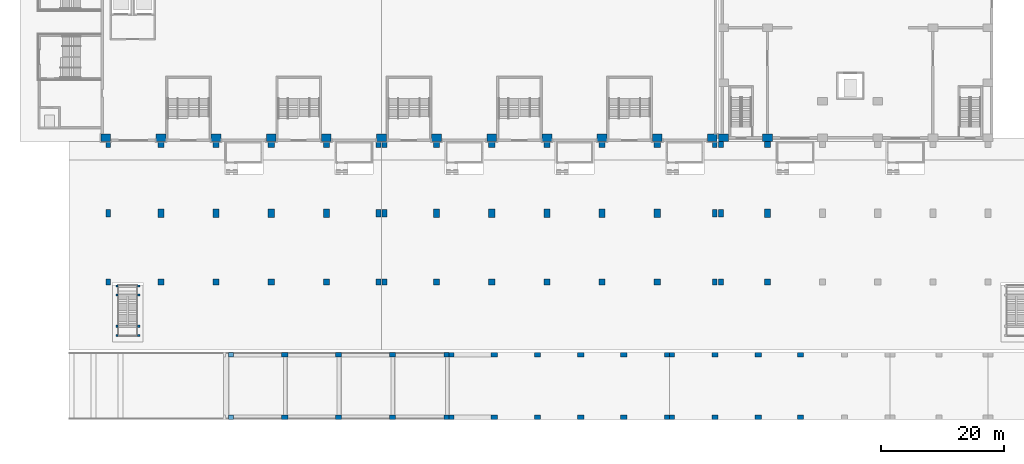
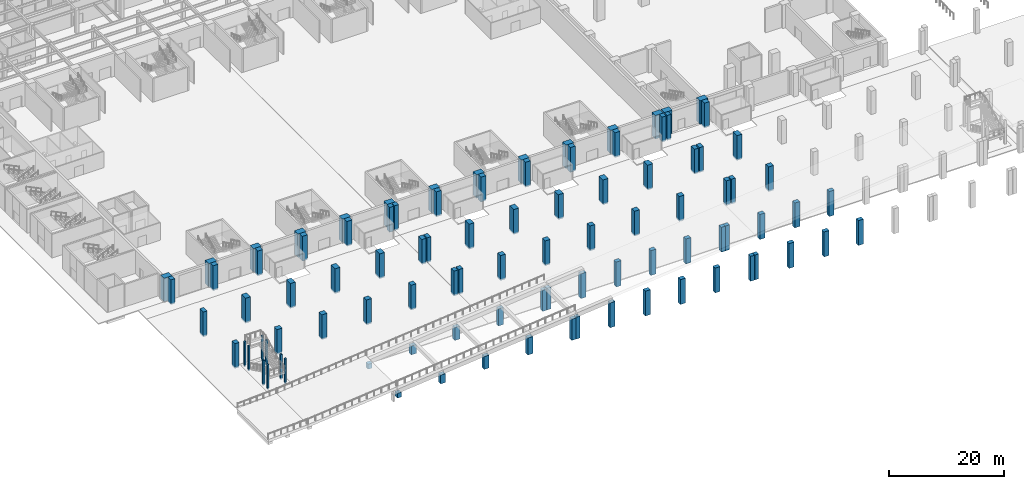
# One storey, part 3 of 77: 97 columns.
"""IFC4 building model written with IfcOpenShell, lengths in metres."""

from ifc_helpers import new_model, si_unit, direction, frame, origin, origin_2d, place, context, subcontext, project, spatial, rectangle, extrude, material, material_profile, profile_set, type_object, element, save


model = new_model("IFC4")

# Units and contexts
model_context = context("Model", 3, precision=1e-05, world=origin(), true_north=direction((0.0, 1.0)))
body_context = subcontext(model_context, "Body", "Model", "MODEL_VIEW")
ifc_project = project(units=[si_unit("LENGTHUNIT", "METRE"), si_unit("AREAUNIT", "SQUARE_METRE"), si_unit("VOLUMEUNIT", "CUBIC_METRE"), si_unit("PLANEANGLEUNIT", "RADIAN"), si_unit("MASSUNIT", "GRAM", prefix="KILO")], contexts=[model_context])

# Site, building, storey
site_placement = place(None, origin())
site = spatial("IfcSite", under=ifc_project, at=site_placement, CompositionType="ELEMENT")
building_placement = place(site_placement, origin())
building = spatial("IfcBuilding", under=site, at=building_placement, Name="Aravalli Gate Trade Fair Centre", CompositionType="ELEMENT")
storey_placement = place(building_placement, origin())
storey = spatial("IfcBuildingStorey", under=building, at=storey_placement, Name="L00", CompositionType="ELEMENT", Elevation=0.0)

# Columns
ifc_material = material(Name="Concrete M45", Category="concrete")
ifc_material_profile_1 = material_profile(ifc_material, rectangle(XDim=1.60009765625, YDim=1.199951171875, at=origin_2d()), Name="RC 1600x1200")
ifc_profile_set_1 = profile_set([ifc_material_profile_1], Name="Concrete M45")
column_type_1 = type_object("IfcColumnType", Name="Congress RC column 1600 x 1200", PredefinedType="COLUMN", material=ifc_profile_set_1)
for number, where, z_axis, x_axis, name in (
    (1, (106.800048828125, 46.0, 0.0), (0.0, 0.0, 1.0), (1.0, 0.0, 0.0), "Congress column 106.8/46 L00"),
    (2, (114.0, 46.0, 0.0), (0.0, 0.0, 1.0), (1.0, 0.0, 0.0), "Congress column 114.0/46 L00"),
):
    element("IfcColumn", number, at=place(storey_placement, frame(where, z_axis=z_axis, x_axis=x_axis)), inside=storey, type_object=column_type_1, Name=name, PredefinedType="COLUMN", context=body_context, shape_type="SweptSolid", body=[
        extrude(rectangle(XDim=1.60009765625, YDim=1.199951171875, at=origin_2d()), origin(), (0.0, 0.0, 1.0), 5.0),
    ])
ifc_material_profile_2 = material_profile(ifc_material, rectangle(XDim=1.0, YDim=1.0, at=origin_2d()), Name="Deck column RC 1000 x 1000")
ifc_profile_set_2 = profile_set([ifc_material_profile_2], Name="Concrete M45")
column_type_2 = type_object("IfcColumnType", Name="Deck column RC 1000 x 1000", PredefinedType="COLUMN", material=ifc_profile_set_2)
for number, where, z_axis, x_axis, name in (
    (3, (15.0, 22.5, -0.300048828125), (0.0, 0.0, 1.0), (1.0, 0.0, 0.0), "Deck column col.deck.1.2.S L00"),
    (4, (15.0, 44.89990234375, -0.300048828125), (0.0, 0.0, 1.0), (1.0, 0.0, 0.0), "Deck column col.deck.1.2.N L00"),
    (5, (24.0, 22.5, -0.300048828125), (0.0, 0.0, 1.0), (1.0, 0.0, 0.0), "Deck column col.deck.1.3.S L00"),
    (6, (24.0, 44.89990234375, -0.300048828125), (0.0, 0.0, 1.0), (1.0, 0.0, 0.0), "Deck column col.deck.1.3.N L00"),
    (7, (33.0, 22.5, -0.300048828125), (0.0, 0.0, 1.0), (1.0, 0.0, 0.0), "Deck column col.deck.1.4.S L00"),
    (8, (33.0, 44.89990234375, -0.300048828125), (0.0, 0.0, 1.0), (1.0, 0.0, 0.0), "Deck column col.deck.1.4.N L00"),
    (9, (42.0, 22.5, -0.300048828125), (0.0, 0.0, 1.0), (1.0, 0.0, 0.0), "Deck column col.deck.1.5.S L00"),
    (10, (42.0, 44.89990234375, -0.300048828125), (0.0, 0.0, 1.0), (1.0, 0.0, 0.0), "Deck column col.deck.1.5.N L00"),
    (11, (60.0, 22.5, -0.300048828125), (0.0, 0.0, 1.0), (1.0, 0.0, 0.0), "Deck column col.deck.2.2.S L00"),
    (12, (60.0, 44.89990234375, -0.300048828125), (0.0, 0.0, 1.0), (1.0, 0.0, 0.0), "Deck column col.deck.2.2.N L00"),
    (13, (69.0, 22.5, -0.300048828125), (0.0, 0.0, 1.0), (1.0, 0.0, 0.0), "Deck column col.deck.2.3.S L00"),
    (14, (69.0, 44.89990234375, -0.300048828125), (0.0, 0.0, 1.0), (1.0, 0.0, 0.0), "Deck column col.deck.2.3.N L00"),
    (15, (78.0, 22.5, -0.300048828125), (0.0, 0.0, 1.0), (1.0, 0.0, 0.0), "Deck column col.deck.2.4.S L00"),
    (16, (78.0, 44.89990234375, -0.300048828125), (0.0, 0.0, 1.0), (1.0, 0.0, 0.0), "Deck column col.deck.2.4.N L00"),
    (17, (87.0, 22.5, -0.300048828125), (0.0, 0.0, 1.0), (1.0, 0.0, 0.0), "Deck column col.deck.2.5.S L00"),
    (18, (87.0, 44.89990234375, -0.300048828125), (0.0, 0.0, 1.0), (1.0, 0.0, 0.0), "Deck column col.deck.2.5.N L00"),
    (19, (96.0, 22.5, -0.300048828125), (0.0, 0.0, 1.0), (1.0, 0.0, 0.0), "Deck column col.deck.2.6.S L00"),
    (20, (96.0, 44.89990234375, -0.300048828125), (0.0, 0.0, 1.0), (1.0, 0.0, 0.0), "Deck column col.deck.2.6.N L00"),
    (21, (114.0, 22.5, -0.300048828125), (0.0, 0.0, 1.0), (1.0, 0.0, 0.0), "Deck column col.deck.3.2.S L00"),
    (22, (114.0, 44.89990234375, -0.300048828125), (0.0, 0.0, 1.0), (1.0, 0.0, 0.0), "Deck column col.deck.3.2.N L00"),
):
    element("IfcColumn", number, at=place(storey_placement, frame(where, z_axis=z_axis, x_axis=x_axis)), inside=storey, type_object=column_type_2, Name=name, PredefinedType="COLUMN", context=body_context, shape_type="SweptSolid", body=[
        extrude(rectangle(XDim=1.0, YDim=1.0, at=origin_2d()), origin(), (0.0, 0.0, 1.0), 5.300048828125),
    ])
ifc_material_profile_3 = material_profile(ifc_material, rectangle(XDim=1.0, YDim=1.39990234375, at=origin_2d()), Name="Deck column RC 1000 x 1400")
ifc_profile_set_3 = profile_set([ifc_material_profile_3], Name="Concrete M45")
column_type_3 = type_object("IfcColumnType", Name="Deck column RC 1000 x 1400", PredefinedType="COLUMN", material=ifc_profile_set_3)
for number, where, z_axis, x_axis, name in (
    (23, (15.0, 33.699951171875, -0.300048828125), (0.0, 0.0, 1.0), (1.0, 0.0, 0.0), "Deck column col.deck.1.2.M L00"),
    (24, (24.0, 33.699951171875, -0.300048828125), (0.0, 0.0, 1.0), (1.0, 0.0, 0.0), "Deck column col.deck.1.3.M L00"),
    (25, (33.0, 33.699951171875, -0.300048828125), (0.0, 0.0, 1.0), (1.0, 0.0, 0.0), "Deck column col.deck.1.4.M L00"),
    (26, (42.0, 33.699951171875, -0.300048828125), (0.0, 0.0, 1.0), (1.0, 0.0, 0.0), "Deck column col.deck.1.5.M L00"),
    (27, (60.0, 33.699951171875, -0.300048828125), (0.0, 0.0, 1.0), (1.0, 0.0, 0.0), "Deck column col.deck.2.2.M L00"),
    (28, (69.0, 33.699951171875, -0.300048828125), (0.0, 0.0, 1.0), (1.0, 0.0, 0.0), "Deck column col.deck.2.3.M L00"),
    (29, (78.0, 33.699951171875, -0.300048828125), (0.0, 0.0, 1.0), (1.0, 0.0, 0.0), "Deck column col.deck.2.4.M L00"),
    (30, (87.0, 33.699951171875, -0.300048828125), (0.0, 0.0, 1.0), (1.0, 0.0, 0.0), "Deck column col.deck.2.5.M L00"),
    (31, (96.0, 33.699951171875, -0.300048828125), (0.0, 0.0, 1.0), (1.0, 0.0, 0.0), "Deck column col.deck.2.6.M L00"),
    (32, (114.0, 33.699951171875, -0.300048828125), (0.0, 0.0, 1.0), (1.0, 0.0, 0.0), "Deck column col.deck.3.2.M L00"),
):
    element("IfcColumn", number, at=place(storey_placement, frame(where, z_axis=z_axis, x_axis=x_axis)), inside=storey, type_object=column_type_3, Name=name, PredefinedType="COLUMN", context=body_context, shape_type="SweptSolid", body=[
        extrude(rectangle(XDim=1.0, YDim=1.39990234375, at=origin_2d()), origin(), (0.0, 0.0, 1.0), 5.300048828125),
    ])
ifc_material_profile_4 = material_profile(ifc_material, rectangle(XDim=0.800048828125, YDim=1.0, at=origin_2d()), Name="Deck column RC 800 x 1000")
ifc_profile_set_4 = profile_set([ifc_material_profile_4], Name="Concrete M45")
column_type_4 = type_object("IfcColumnType", Name="Deck column RC 800 x 1000", PredefinedType="COLUMN", material=ifc_profile_set_4)
for number, where, z_axis, x_axis, name in (
    (33, (6.39990234375, 22.5, -0.300048828125), (0.0, 0.0, 1.0), (1.0, 0.0, 0.0), "Deck column col.deck.1.1.S L00"),
    (34, (6.39990234375, 44.89990234375, -0.300048828125), (0.0, 0.0, 1.0), (1.0, 0.0, 0.0), "Deck column col.deck.1.1.N L00"),
    (35, (50.5, 22.5, -0.300048828125), (0.0, 0.0, 1.0), (1.0, 0.0, 0.0), "Deck column col.deck.1.6.S L00"),
    (36, (50.5, 44.89990234375, -0.300048828125), (0.0, 0.0, 1.0), (1.0, 0.0, 0.0), "Deck column col.deck.1.6.N L00"),
    (37, (51.5, 22.5, -0.300048828125), (0.0, 0.0, 1.0), (1.0, 0.0, 0.0), "Deck column col.deck.2.1.S L00"),
    (38, (51.5, 44.89990234375, -0.300048828125), (0.0, 0.0, 1.0), (1.0, 0.0, 0.0), "Deck column col.deck.2.1.N L00"),
    (39, (105.39990234375, 22.5, -0.300048828125), (0.0, 0.0, 1.0), (1.0, 0.0, 0.0), "Deck column col.deck.2.7.S L00"),
    (40, (105.39990234375, 44.89990234375, -0.300048828125), (0.0, 0.0, 1.0), (1.0, 0.0, 0.0), "Deck column col.deck.2.7.N L00"),
    (41, (106.39990234375, 22.5, -0.300048828125), (0.0, 0.0, 1.0), (1.0, 0.0, 0.0), "Deck column col.deck.3.1.S L00"),
    (42, (106.39990234375, 44.89990234375, -0.300048828125), (0.0, 0.0, 1.0), (1.0, 0.0, 0.0), "Deck column col.deck.3.1.N L00"),
):
    element("IfcColumn", number, at=place(storey_placement, frame(where, z_axis=z_axis, x_axis=x_axis)), inside=storey, type_object=column_type_4, Name=name, PredefinedType="COLUMN", context=body_context, shape_type="SweptSolid", body=[
        extrude(rectangle(XDim=0.800048828125, YDim=1.0, at=origin_2d()), origin(), (0.0, 0.0, 1.0), 5.300048828125),
    ])
ifc_material_profile_5 = material_profile(ifc_material, rectangle(XDim=0.800048828125, YDim=1.199951171875, at=origin_2d()), Name="Deck column RC 800 x 1200")
ifc_profile_set_5 = profile_set([ifc_material_profile_5], Name="Concrete M45")
column_type_5 = type_object("IfcColumnType", Name="Deck column RC 800 x 1200", PredefinedType="COLUMN", material=ifc_profile_set_5)
for number, where, z_axis, x_axis, name in (
    (43, (6.39990234375, 33.699951171875, -0.300048828125), (0.0, 0.0, 1.0), (1.0, 0.0, 0.0), "Deck column col.deck.1.1.M L00"),
    (44, (50.5, 33.699951171875, -0.300048828125), (0.0, 0.0, 1.0), (1.0, 0.0, 0.0), "Deck column col.deck.1.6.M L00"),
    (45, (51.5, 33.699951171875, -0.300048828125), (0.0, 0.0, 1.0), (1.0, 0.0, 0.0), "Deck column col.deck.2.1.M L00"),
    (46, (105.39990234375, 33.699951171875, -0.300048828125), (0.0, 0.0, 1.0), (1.0, 0.0, 0.0), "Deck column col.deck.2.7.M L00"),
    (47, (106.39990234375, 33.699951171875, -0.300048828125), (0.0, 0.0, 1.0), (1.0, 0.0, 0.0), "Deck column col.deck.3.1.M L00"),
):
    element("IfcColumn", number, at=place(storey_placement, frame(where, z_axis=z_axis, x_axis=x_axis)), inside=storey, type_object=column_type_5, Name=name, PredefinedType="COLUMN", context=body_context, shape_type="SweptSolid", body=[
        extrude(rectangle(XDim=0.800048828125, YDim=1.199951171875, at=origin_2d()), origin(), (0.0, 0.0, 1.0), 5.300048828125),
    ])
ifc_material_profile_6 = material_profile(ifc_material, rectangle(XDim=1.60009765625, YDim=1.199951171875, at=origin_2d()), Name="RC 1600x1200")
ifc_profile_set_6 = profile_set([ifc_material_profile_6], Name="Concrete M45")
column_type_6 = type_object("IfcColumnType", Name="Hall end-line spine column HC2", PredefinedType="COLUMN", material=ifc_profile_set_6)
for number, where, z_axis, x_axis, name in (
    (48, (6.0, 46.0, 0.0), (0.0, 0.0, 1.0), (1.0, 0.0, 0.0), "Spine column A1 L00"),
    (49, (105.0, 46.0, 0.0), (0.0, 0.0, 1.0), (1.0, 0.0, 0.0), "Spine column A12 L00"),
):
    element("IfcColumn", number, at=place(storey_placement, frame(where, z_axis=z_axis, x_axis=x_axis)), inside=storey, type_object=column_type_6, Name=name, PredefinedType="COLUMN", context=body_context, shape_type="SweptSolid", body=[
        extrude(rectangle(XDim=1.60009765625, YDim=1.199951171875, at=origin_2d()), origin(), (0.0, 0.0, 1.0), 5.0),
    ])
ifc_material_profile_7 = material_profile(ifc_material, rectangle(XDim=1.60009765625, YDim=1.199951171875, at=origin_2d()), Name="RC 1600x1200")
ifc_profile_set_7 = profile_set([ifc_material_profile_7], Name="Concrete M45")
column_type_7 = type_object("IfcColumnType", Name="Hall spine column HC1", PredefinedType="COLUMN", material=ifc_profile_set_7)
for number, where, z_axis, x_axis, name in (
    (50, (15.0, 46.0, 0.0), (0.0, 0.0, 1.0), (1.0, 0.0, 0.0), "Spine column A2 L00"),
    (51, (24.0, 46.0, 0.0), (0.0, 0.0, 1.0), (1.0, 0.0, 0.0), "Spine column A3 L00"),
    (52, (33.0, 46.0, 0.0), (0.0, 0.0, 1.0), (1.0, 0.0, 0.0), "Spine column A4 L00"),
    (53, (42.0, 46.0, 0.0), (0.0, 0.0, 1.0), (1.0, 0.0, 0.0), "Spine column A5 L00"),
    (54, (51.0, 46.0, 0.0), (0.0, 0.0, 1.0), (1.0, 0.0, 0.0), "Spine column A6 L00"),
    (55, (60.0, 46.0, 0.0), (0.0, 0.0, 1.0), (1.0, 0.0, 0.0), "Spine column A7 L00"),
    (56, (69.0, 46.0, 0.0), (0.0, 0.0, 1.0), (1.0, 0.0, 0.0), "Spine column A8 L00"),
    (57, (78.0, 46.0, 0.0), (0.0, 0.0, 1.0), (1.0, 0.0, 0.0), "Spine column A9 L00"),
    (58, (87.0, 46.0, 0.0), (0.0, 0.0, 1.0), (1.0, 0.0, 0.0), "Spine column A10 L00"),
    (59, (96.0, 46.0, 0.0), (0.0, 0.0, 1.0), (1.0, 0.0, 0.0), "Spine column A11 L00"),
):
    element("IfcColumn", number, at=place(storey_placement, frame(where, z_axis=z_axis, x_axis=x_axis)), inside=storey, type_object=column_type_7, Name=name, PredefinedType="COLUMN", context=body_context, shape_type="SweptSolid", body=[
        extrude(rectangle(XDim=1.60009765625, YDim=1.199951171875, at=origin_2d()), origin(), (0.0, 0.0, 1.0), 5.0),
    ])
ifc_material_profile_8 = material_profile(ifc_material, rectangle(XDim=1.0, YDim=0.800048828125, at=origin_2d()), Name="Ramp column RC 1000 x 800")
ifc_profile_set_8 = profile_set([ifc_material_profile_8], Name="Concrete M45")
column_type_8 = type_object("IfcColumnType", Name="Ramp column RC 1000 x 800", PredefinedType="COLUMN", material=ifc_profile_set_8)
for number, where, z_axis, x_axis, name in (
    (60, (35.2099609375, 0.39990234375, -0.300048828125), (0.0, 0.0, 1.0), (1.0, 0.0, 0.0), "Ramp column col.ramp.RA1-F2.2.2S L00"),
    (61, (35.2099609375, 10.60009765625, -0.300048828125), (0.0, 0.0, 1.0), (1.0, 0.0, 0.0), "Ramp column col.ramp.RA1-F2.2.2N L00"),
):
    element("IfcColumn", number, at=place(storey_placement, frame(where, z_axis=z_axis, x_axis=x_axis)), inside=storey, type_object=column_type_8, Name=name, PredefinedType="COLUMN", context=body_context, shape_type="SweptSolid", body=[
        extrude(rectangle(XDim=1.0, YDim=0.800048828125, at=origin_2d()), origin(), (0.0, 0.0, 1.0), 1.87353515625),
    ])
for number, where, z_axis, x_axis, name in (
    (62, (44.0, 0.39990234375, -0.300048828125), (0.0, 0.0, 1.0), (1.0, 0.0, 0.0), "Ramp column col.ramp.RA1-F2.2.3S L00"),
    (63, (44.0, 10.60009765625, -0.300048828125), (0.0, 0.0, 1.0), (1.0, 0.0, 0.0), "Ramp column col.ramp.RA1-F2.2.3N L00"),
):
    element("IfcColumn", number, at=place(storey_placement, frame(where, z_axis=z_axis, x_axis=x_axis)), inside=storey, type_object=column_type_8, Name=name, PredefinedType="COLUMN", context=body_context, shape_type="SweptSolid", body=[
        extrude(rectangle(XDim=1.0, YDim=0.800048828125, at=origin_2d()), origin(), (0.0, 0.0, 1.0), 2.75244140625),
    ])
for number, where, z_axis, x_axis, name in (
    (64, (52.7900390625, 0.39990234375, -0.300048828125), (0.0, 0.0, 1.0), (1.0, 0.0, 0.0), "Ramp column col.ramp.RA1-F2.2.4S L00"),
    (65, (52.7900390625, 10.60009765625, -0.300048828125), (0.0, 0.0, 1.0), (1.0, 0.0, 0.0), "Ramp column col.ramp.RA1-F2.2.4N L00"),
):
    element("IfcColumn", number, at=place(storey_placement, frame(where, z_axis=z_axis, x_axis=x_axis)), inside=storey, type_object=column_type_8, Name=name, PredefinedType="COLUMN", context=body_context, shape_type="SweptSolid", body=[
        extrude(rectangle(XDim=1.0, YDim=0.800048828125, at=origin_2d()), origin(), (0.0, 0.0, 1.0), 3.631591796875),
    ])
for number, where, z_axis, x_axis, name in (
    (66, (69.402099609375, 0.39990234375, -0.300048828125), (0.0, 0.0, 1.0), (1.0, 0.0, 0.0), "Ramp column col.ramp.RA1-F2.3.2S L00"),
    (67, (69.402099609375, 10.60009765625, -0.300048828125), (0.0, 0.0, 1.0), (1.0, 0.0, 0.0), "Ramp column col.ramp.RA1-F2.3.2N L00"),
):
    element("IfcColumn", number, at=place(storey_placement, frame(where, z_axis=z_axis, x_axis=x_axis)), inside=storey, type_object=column_type_8, Name=name, PredefinedType="COLUMN", context=body_context, shape_type="SweptSolid", body=[
        extrude(rectangle(XDim=1.0, YDim=0.800048828125, at=origin_2d()), origin(), (0.0, 0.0, 1.0), 5.292724609375),
    ])
for number, where, z_axis, x_axis, name in (
    (68, (76.48388671875, 0.39990234375, -0.300048828125), (0.0, 0.0, 1.0), (1.0, 0.0, 0.0), "Ramp column col.ramp.RA1-F2.3.3S L00"),
    (69, (76.48388671875, 10.60009765625, -0.300048828125), (0.0, 0.0, 1.0), (1.0, 0.0, 0.0), "Ramp column col.ramp.RA1-F2.3.3N L00"),
    (70, (83.51611328125, 0.39990234375, -0.300048828125), (0.0, 0.0, 1.0), (1.0, 0.0, 0.0), "Ramp column col.ramp.RA1-F2.3.4S L00"),
    (71, (83.51611328125, 10.60009765625, -0.300048828125), (0.0, 0.0, 1.0), (1.0, 0.0, 0.0), "Ramp column col.ramp.RA1-F2.3.4N L00"),
    (72, (90.548095703125, 0.39990234375, -0.300048828125), (0.0, 0.0, 1.0), (1.0, 0.0, 0.0), "Ramp column col.ramp.RA1-F2.3.5S L00"),
    (73, (90.548095703125, 10.60009765625, -0.300048828125), (0.0, 0.0, 1.0), (1.0, 0.0, 0.0), "Ramp column col.ramp.RA1-F2.3.5N L00"),
    (74, (105.451904296875, 0.39990234375, -0.300048828125), (0.0, 0.0, 1.0), (1.0, 0.0, 0.0), "Ramp column col.ramp.RA1-F2.4.2S L00"),
    (75, (105.451904296875, 10.60009765625, -0.300048828125), (0.0, 0.0, 1.0), (1.0, 0.0, 0.0), "Ramp column col.ramp.RA1-F2.4.2N L00"),
    (76, (112.48388671875, 0.39990234375, -0.300048828125), (0.0, 0.0, 1.0), (1.0, 0.0, 0.0), "Ramp column col.ramp.RA1-F2.4.3S L00"),
    (77, (112.48388671875, 10.60009765625, -0.300048828125), (0.0, 0.0, 1.0), (1.0, 0.0, 0.0), "Ramp column col.ramp.RA1-F2.4.3N L00"),
    (78, (119.416015625, 0.39990234375, -0.300048828125), (0.0, 0.0, 1.0), (1.0, 0.0, 0.0), "Ramp column col.ramp.RA1-F2.4.4S L00"),
    (79, (119.416015625, 10.60009765625, -0.300048828125), (0.0, 0.0, 1.0), (1.0, 0.0, 0.0), "Ramp column col.ramp.RA1-F2.4.4N L00"),
):
    element("IfcColumn", number, at=place(storey_placement, frame(where, z_axis=z_axis, x_axis=x_axis)), inside=storey, type_object=column_type_8, Name=name, PredefinedType="COLUMN", context=body_context, shape_type="SweptSolid", body=[
        extrude(rectangle(XDim=1.0, YDim=0.800048828125, at=origin_2d()), origin(), (0.0, 0.0, 1.0), 5.300048828125),
    ])
ifc_material_profile_9 = material_profile(ifc_material, rectangle(XDim=0.800048828125, YDim=0.800048828125, at=origin_2d()), Name="Ramp column RC 800 x 800")
ifc_profile_set_9 = profile_set([ifc_material_profile_9], Name="Concrete M45")
column_type_9 = type_object("IfcColumnType", Name="Ramp column RC 800 x 800", PredefinedType="COLUMN", material=ifc_profile_set_9)
for number, where, z_axis, x_axis, name in (
    (80, (26.419921875, 0.39990234375, -0.300048828125), (0.0, 0.0, 1.0), (1.0, 0.0, 0.0), "Ramp column col.ramp.RA1-F2.2.1S L00"),
    (81, (26.419921875, 10.60009765625, -0.300048828125), (0.0, 0.0, 1.0), (1.0, 0.0, 0.0), "Ramp column col.ramp.RA1-F2.2.1N L00"),
):
    element("IfcColumn", number, at=place(storey_placement, frame(where, z_axis=z_axis, x_axis=x_axis)), inside=storey, type_object=column_type_9, Name=name, PredefinedType="COLUMN", context=body_context, shape_type="SweptSolid", body=[
        extrude(rectangle(XDim=0.800048828125, YDim=0.800048828125, at=origin_2d()), origin(), (0.0, 0.0, 1.0), 1.029541015625),
    ])
for number, where, z_axis, x_axis, name in (
    (82, (61.580078125, 0.39990234375, -0.300048828125), (0.0, 0.0, 1.0), (1.0, 0.0, 0.0), "Ramp column col.ramp.RA1-F2.2.5S L00"),
    (83, (61.580078125, 10.60009765625, -0.300048828125), (0.0, 0.0, 1.0), (1.0, 0.0, 0.0), "Ramp column col.ramp.RA1-F2.2.5N L00"),
):
    element("IfcColumn", number, at=place(storey_placement, frame(where, z_axis=z_axis, x_axis=x_axis)), inside=storey, type_object=column_type_9, Name=name, PredefinedType="COLUMN", context=body_context, shape_type="SweptSolid", body=[
        extrude(rectangle(XDim=0.800048828125, YDim=0.800048828125, at=origin_2d()), origin(), (0.0, 0.0, 1.0), 4.510498046875),
    ])
for number, where, z_axis, x_axis, name in (
    (84, (62.419921875, 0.39990234375, -0.300048828125), (0.0, 0.0, 1.0), (1.0, 0.0, 0.0), "Ramp column col.ramp.RA1-F2.3.1S L00"),
    (85, (62.419921875, 10.60009765625, -0.300048828125), (0.0, 0.0, 1.0), (1.0, 0.0, 0.0), "Ramp column col.ramp.RA1-F2.3.1N L00"),
):
    element("IfcColumn", number, at=place(storey_placement, frame(where, z_axis=z_axis, x_axis=x_axis)), inside=storey, type_object=column_type_9, Name=name, PredefinedType="COLUMN", context=body_context, shape_type="SweptSolid", body=[
        extrude(rectangle(XDim=0.800048828125, YDim=0.800048828125, at=origin_2d()), origin(), (0.0, 0.0, 1.0), 4.62939453125),
    ])
for number, where, z_axis, x_axis, name in (
    (86, (97.580078125, 0.39990234375, -0.300048828125), (0.0, 0.0, 1.0), (1.0, 0.0, 0.0), "Ramp column col.ramp.RA1-F2.3.6S L00"),
    (87, (97.580078125, 10.60009765625, -0.300048828125), (0.0, 0.0, 1.0), (1.0, 0.0, 0.0), "Ramp column col.ramp.RA1-F2.3.6N L00"),
    (88, (98.419921875, 0.39990234375, -0.300048828125), (0.0, 0.0, 1.0), (1.0, 0.0, 0.0), "Ramp column col.ramp.RA1-F2.4.1S L00"),
    (89, (98.419921875, 10.60009765625, -0.300048828125), (0.0, 0.0, 1.0), (1.0, 0.0, 0.0), "Ramp column col.ramp.RA1-F2.4.1N L00"),
):
    element("IfcColumn", number, at=place(storey_placement, frame(where, z_axis=z_axis, x_axis=x_axis)), inside=storey, type_object=column_type_9, Name=name, PredefinedType="COLUMN", context=body_context, shape_type="SweptSolid", body=[
        extrude(rectangle(XDim=0.800048828125, YDim=0.800048828125, at=origin_2d()), origin(), (0.0, 0.0, 1.0), 5.300048828125),
    ])
ifc_material_profile_10 = material_profile(ifc_material, rectangle(XDim=0.35009765625, YDim=0.35009765625, at=origin_2d()), Name="Stair column RC 350 x 350")
ifc_profile_set_10 = profile_set([ifc_material_profile_10], Name="Concrete M45")
column_type_10 = type_object("IfcColumnType", Name="Stair column RC 350 x 350", PredefinedType="COLUMN", material=ifc_profile_set_10)
for number, where, z_axis, x_axis, name in (
    (90, (7.824951171875, 21.800048828125, -0.300048828125), (0.0, 0.0, 1.0), (1.0, 0.0, 0.0), "Stair column col.stair.1.1.1 L00"),
    (91, (7.824951171875, 20.35009765625, -0.300048828125), (0.0, 0.0, 1.0), (1.0, 0.0, 0.0), "Stair column col.stair.1.1.2 L00"),
    (92, (7.824951171875, 15.25, -0.300048828125), (0.0, 0.0, 1.0), (1.0, 0.0, 0.0), "Stair column col.stair.1.1.3 L00"),
    (93, (7.824951171875, 13.75, -0.300048828125), (0.0, 0.0, 1.0), (1.0, 0.0, 0.0), "Stair column col.stair.1.1.4 L00"),
    (94, (11.375, 21.800048828125, -0.300048828125), (0.0, 0.0, 1.0), (1.0, 0.0, 0.0), "Stair column col.stair.1.2.1 L00"),
    (95, (11.375, 20.35009765625, -0.300048828125), (0.0, 0.0, 1.0), (1.0, 0.0, 0.0), "Stair column col.stair.1.2.2 L00"),
    (96, (11.375, 15.25, -0.300048828125), (0.0, 0.0, 1.0), (1.0, 0.0, 0.0), "Stair column col.stair.1.2.3 L00"),
    (97, (11.375, 13.75, -0.300048828125), (0.0, 0.0, 1.0), (1.0, 0.0, 0.0), "Stair column col.stair.1.2.4 L00"),
):
    element("IfcColumn", number, at=place(storey_placement, frame(where, z_axis=z_axis, x_axis=x_axis)), inside=storey, type_object=column_type_10, Name=name, PredefinedType="COLUMN", context=body_context, shape_type="SweptSolid", body=[
        extrude(rectangle(XDim=0.35009765625, YDim=0.35009765625, at=origin_2d()), origin(), (0.0, 0.0, 1.0), 5.300048828125),
    ])

save(model, "model.ifc")
